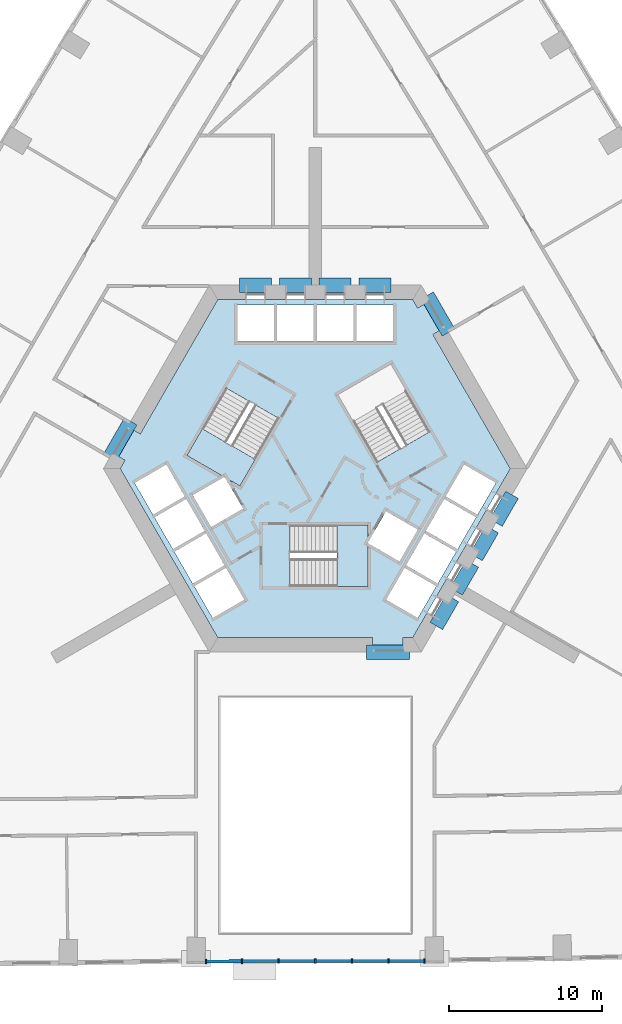
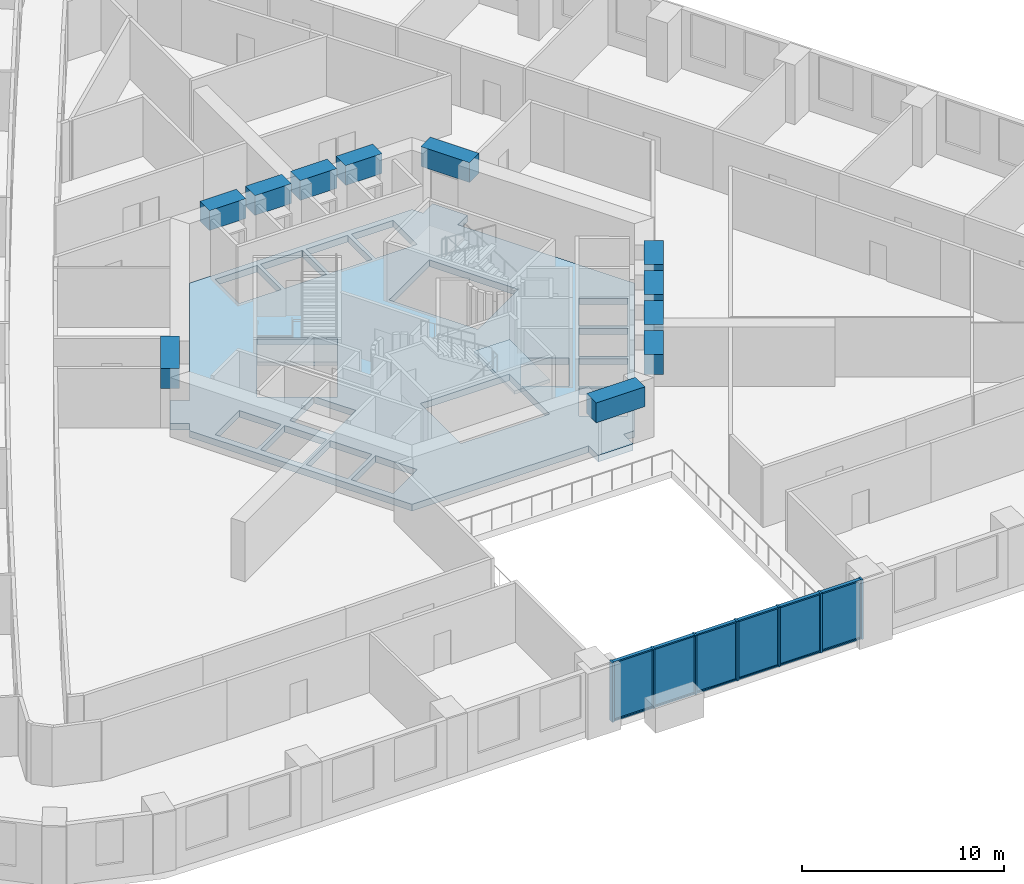
# One storey, part 2 of 15: 19 members, 11 beams, 6 plates, 3 slabs, 3 elements without a shape of their own.
"""IFC4 building model written with IfcOpenShell, lengths in metres."""

from ifc_helpers import new_model, si_unit, direction, frame, origin, origin_2d, place, context, subcontext, project, spatial, polyline, rectangle, outline, extrude, material, layer, layer_set, material_profile, profile_set, type_object, element, aggregate, save


model = new_model("IFC4")

# Units and contexts
model_context = context("Model", 3, precision=1e-05, world=origin(), true_north=direction((0.0, 1.0)))
body_context = subcontext(model_context, "Body", "Model", "MODEL_VIEW")
ifc_project = project(units=[si_unit("LENGTHUNIT", "METRE"), si_unit("AREAUNIT", "SQUARE_METRE"), si_unit("VOLUMEUNIT", "CUBIC_METRE"), si_unit("PLANEANGLEUNIT", "RADIAN"), si_unit("MASSUNIT", "GRAM", prefix="KILO")], contexts=[model_context])

# Site, building, storey
site_placement = place(None, origin())
site = spatial("IfcSite", under=ifc_project, at=site_placement, CompositionType="ELEMENT")
building_placement = place(site_placement, origin())
building = spatial("IfcBuilding", under=site, at=building_placement, Name="Entoto Arch Interchange Tower", CompositionType="ELEMENT")
storey_placement = place(building_placement, frame((0.0, 0.0, 77.0)))
storey = spatial("IfcBuildingStorey", under=building, at=storey_placement, Name="L16", CompositionType="ELEMENT", Elevation=77.0)

# Beams
ifc_material_1 = material(Name="Concrete C60/75", Category="concrete")
ifc_material_profile_1 = material_profile(ifc_material_1, rectangle(XDim=0.949951171875, YDim=1.199951171875, at=origin_2d()))
ifc_profile_set_1 = profile_set([ifc_material_profile_1], Name="Concrete C60/75")
beam_type = type_object("IfcBeamType", Name="Coupling beam RC 950x1200 C60/75", PredefinedType="BEAM", material=ifc_profile_set_1)
beam_1_placement = place(storey_placement, frame((8.717041015625, 11.402099609375, 3.0), z_axis=(-0.500200581029, 0.865909567298, 0.0), x_axis=(-0.865909567298, -0.500200581029, 0.0)))
element("IfcBeam", 1, at=beam_1_placement, inside=storey, type_object=beam_type, Name="Coupling beam NE L16", PredefinedType="BEAM", context=body_context, shape_type="SweptSolid", body=[
    extrude(rectangle(XDim=0.949951171875, YDim=1.199951171875, at=origin_2d()), origin(), (0.0, 0.0, 1.0), 2.799072265625),
])
beam_2_placement = place(storey_placement, frame((4.949951171875, 14.5, 3.0), z_axis=(-1.0, 0.0, 0.0), x_axis=(0.0, -1.0, 0.0)))
element("IfcBeam", 2, at=beam_2_placement, inside=storey, type_object=beam_type, Name="Coupling beam N L16", PredefinedType="BEAM", context=body_context, shape_type="SweptSolid", body=[
    extrude(rectangle(XDim=0.949951171875, YDim=1.199951171875, at=origin_2d()), origin(), (0.0, 0.0, 1.0), 2.099853515625),
])
for number, where, z_axis, x_axis, name in (
    (3, (2.35009765625, 14.5, 3.0), (-1.0, 0.0, 0.0), (0.0, -1.0, 0.0), "Coupling beam N L16"),
    (4, (-0.25, 14.5, 3.0), (-1.0, 0.0, 0.0), (0.0, -1.0, 0.0), "Coupling beam N L16"),
):
    element("IfcBeam", number, at=place(storey_placement, frame(where, z_axis=z_axis, x_axis=x_axis)), inside=storey, type_object=beam_type, Name=name, PredefinedType="BEAM", context=body_context, shape_type="SweptSolid", body=[
        extrude(rectangle(XDim=0.949951171875, YDim=1.199951171875, at=origin_2d()), origin(), (0.0, 0.0, 1.0), 2.10009765625),
    ])
beam_3_placement = place(storey_placement, frame((-2.85009765625, 14.5, 3.0), z_axis=(-1.0, 0.0, 0.0), x_axis=(0.0, -1.0, 0.0)))
element("IfcBeam", 5, at=beam_3_placement, inside=storey, type_object=beam_type, Name="Coupling beam N L16", PredefinedType="BEAM", context=body_context, shape_type="SweptSolid", body=[
    extrude(rectangle(XDim=0.949951171875, YDim=1.199951171875, at=origin_2d()), origin(), (0.0, 0.0, 1.0), 2.099853515625),
])
beam_4_placement = place(storey_placement, frame((-12.06689453125, 5.597900390625, 3.0), z_axis=(-0.500200581029, -0.865909567298, 0.0), x_axis=(0.865909567298, -0.500200581029, 0.0)))
element("IfcBeam", 6, at=beam_4_placement, inside=storey, type_object=beam_type, Name="Coupling beam NW L16", PredefinedType="BEAM", context=body_context, shape_type="SweptSolid", body=[
    extrude(rectangle(XDim=0.949951171875, YDim=1.199951171875, at=origin_2d()), origin(), (0.0, 0.0, 1.0), 2.799072265625),
])
beam_5_placement = place(storey_placement, frame((3.35009765625, -9.5, 3.0), z_axis=(1.0, 0.0, 0.0), x_axis=(0.0, 1.0, 0.0)))
element("IfcBeam", 7, at=beam_5_placement, inside=storey, type_object=beam_type, Name="Coupling beam S L16", PredefinedType="BEAM", context=body_context, shape_type="SweptSolid", body=[
    extrude(rectangle(XDim=0.949951171875, YDim=1.199951171875, at=origin_2d()), origin(), (0.0, 0.0, 1.0), 2.7998046875),
])
for number, where, z_axis, x_axis, name in (
    (8, (7.9169921875, -7.785888671875, 3.0), (0.500178781653, 0.865922159541, 0.0), (-0.865922159541, 0.500178781653, 0.0), "Coupling beam SE L16"),
    (9, (9.217041015625, -5.534912109375, 3.0), (0.500178781653, 0.865922159541, 0.0), (-0.865922159541, 0.500178781653, 0.0), "Coupling beam SE L16"),
):
    element("IfcBeam", number, at=place(storey_placement, frame(where, z_axis=z_axis, x_axis=x_axis)), inside=storey, type_object=beam_type, Name=name, PredefinedType="BEAM", context=body_context, shape_type="SweptSolid", body=[
        extrude(rectangle(XDim=0.949951171875, YDim=1.199951171875, at=origin_2d()), origin(), (0.0, 0.0, 1.0), 2.099365234375),
    ])
beam_6_placement = place(storey_placement, frame((10.51708984375, -3.282958984375, 3.0), z_axis=(0.500091574638, 0.865972526687, 0.0), x_axis=(-0.865972526687, 0.500091574638, 0.0)))
element("IfcBeam", 10, at=beam_6_placement, inside=storey, type_object=beam_type, Name="Coupling beam SE L16", PredefinedType="BEAM", context=body_context, shape_type="SweptSolid", body=[
    extrude(rectangle(XDim=0.949951171875, YDim=1.199951171875, at=origin_2d()), origin(), (0.0, 0.0, 1.0), 2.09912109375),
])
beam_7_placement = place(storey_placement, frame((11.81689453125, -1.031982421875, 3.0), z_axis=(0.500178781653, 0.865922159541, 0.0), x_axis=(-0.865922159541, 0.500178781653, 0.0)))
element("IfcBeam", 11, at=beam_7_placement, inside=storey, type_object=beam_type, Name="Coupling beam SE L16", PredefinedType="BEAM", context=body_context, shape_type="SweptSolid", body=[
    extrude(rectangle(XDim=0.949951171875, YDim=1.199951171875, at=origin_2d()), origin(), (0.0, 0.0, 1.0), 2.099365234375),
])

# Curtain wall, members
ifc_material_2 = material(Name="Aluminium, anodised", Category="aluminium")
curtain_wall_type = type_object("IfcCurtainWallType", Name="CURTAIN WALL ATRIUM", PredefinedType="NOTDEFINED", material=ifc_material_2)
curtain_wall_placement = place(storey_placement, origin())
curtain_wall = element("IfcCurtainWall", 12, at=curtain_wall_placement, inside=storey, type_object=curtain_wall_type, Name="Atrium glazing S-04 L16", PredefinedType="NOTDEFINED")
ifc_material_profile_2 = material_profile(ifc_material_2, rectangle(XDim=0.300048828125, YDim=0.10009765625, at=origin_2d()))
ifc_profile_set_2 = profile_set([ifc_material_profile_2], Name="Aluminium, anodised")
member_type_1 = type_object("IfcMemberType", Name="MULLION ATRIUM 100x300", PredefinedType="MULLION", material=ifc_profile_set_2)
member_1_placement = place(storey_placement, frame((-7.14794921875, -29.719970703125, 0.0), z_axis=(0.0, 0.0, 1.0), x_axis=(-0.002222834181, 0.999997529501, 0.0)))
member_1 = element("IfcMember", 13, at=member_1_placement, type_object=member_type_1, Name="CWA mullion 1", PredefinedType="MULLION", context=body_context, shape_type="SweptSolid", body=[
    extrude(rectangle(XDim=0.300048828125, YDim=0.10009765625, at=origin_2d()), origin(), (0.0, 0.0, 1.0), 3.60009765625),
])
member_2_placement = place(storey_placement, frame((-4.798583984375, -29.714599609375, 0.0), z_axis=(0.0, 0.0, 1.0), x_axis=(-0.002222834181, 0.999997529501, 0.0)))
member_2 = element("IfcMember", 14, at=member_2_placement, type_object=member_type_1, Name="CWA mullion 2", PredefinedType="MULLION", context=body_context, shape_type="SweptSolid", body=[
    extrude(rectangle(XDim=0.300048828125, YDim=0.10009765625, at=origin_2d()), origin(), (0.0, 0.0, 1.0), 3.60009765625),
])
member_3_placement = place(storey_placement, frame((-2.3994140625, -29.709228515625, 0.0), z_axis=(0.0, 0.0, 1.0), x_axis=(-0.002222834181, 0.999997529501, 0.0)))
member_3 = element("IfcMember", 15, at=member_3_placement, type_object=member_type_1, Name="CWA mullion 3", PredefinedType="MULLION", context=body_context, shape_type="SweptSolid", body=[
    extrude(rectangle(XDim=0.300048828125, YDim=0.10009765625, at=origin_2d()), origin(), (0.0, 0.0, 1.0), 3.60009765625),
])
member_4_placement = place(storey_placement, frame((0.0, -29.7041015625, 0.0), z_axis=(0.0, 0.0, 1.0), x_axis=(-0.002222834181, 0.999997529501, 0.0)))
member_4 = element("IfcMember", 16, at=member_4_placement, type_object=member_type_1, Name="CWA mullion 4", PredefinedType="MULLION", context=body_context, shape_type="SweptSolid", body=[
    extrude(rectangle(XDim=0.300048828125, YDim=0.10009765625, at=origin_2d()), origin(), (0.0, 0.0, 1.0), 3.60009765625),
])
member_5_placement = place(storey_placement, frame((2.3994140625, -29.69873046875, 0.0), z_axis=(0.0, 0.0, 1.0), x_axis=(-0.002222834181, 0.999997529501, 0.0)))
member_5 = element("IfcMember", 17, at=member_5_placement, type_object=member_type_1, Name="CWA mullion 5", PredefinedType="MULLION", context=body_context, shape_type="SweptSolid", body=[
    extrude(rectangle(XDim=0.300048828125, YDim=0.10009765625, at=origin_2d()), origin(), (0.0, 0.0, 1.0), 3.60009765625),
])
member_6_placement = place(storey_placement, frame((4.798583984375, -29.693359375, 0.0), z_axis=(0.0, 0.0, 1.0), x_axis=(-0.002222834181, 0.999997529501, 0.0)))
member_6 = element("IfcMember", 18, at=member_6_placement, type_object=member_type_1, Name="CWA mullion 6", PredefinedType="MULLION", context=body_context, shape_type="SweptSolid", body=[
    extrude(rectangle(XDim=0.300048828125, YDim=0.10009765625, at=origin_2d()), origin(), (0.0, 0.0, 1.0), 3.60009765625),
])
member_7_placement = place(storey_placement, frame((7.14794921875, -29.688232421875, 0.0), z_axis=(0.0, 0.0, 1.0), x_axis=(-0.002222834181, 0.999997529501, 0.0)))
member_7 = element("IfcMember", 19, at=member_7_placement, type_object=member_type_1, Name="CWA mullion 7", PredefinedType="MULLION", context=body_context, shape_type="SweptSolid", body=[
    extrude(rectangle(XDim=0.300048828125, YDim=0.10009765625, at=origin_2d()), origin(), (0.0, 0.0, 1.0), 3.60009765625),
])
ifc_material_profile_3 = material_profile(ifc_material_2, rectangle(XDim=0.199951171875, YDim=0.080078125, at=origin_2d()))
ifc_profile_set_3 = profile_set([ifc_material_profile_3], Name="Aluminium, anodised")
member_type_2 = type_object("IfcMemberType", Name="TRANSOM ATRIUM 80x200", PredefinedType="USERDEFINED", material=ifc_profile_set_3)
member_8_placement = place(storey_placement, frame((-7.097900390625, -29.7197265625, 0.0400390625), z_axis=(0.999997643723, 0.002170840429, 0.0), x_axis=(-0.002170840429, 0.999997643723, 0.0)))
member_8 = element("IfcMember", 20, at=member_8_placement, type_object=member_type_2, Name="CWA transom 1.1", ObjectType="TRANSOM", PredefinedType="USERDEFINED", context=body_context, shape_type="SweptSolid", body=[
    extrude(rectangle(XDim=0.199951171875, YDim=0.080078125, at=origin_2d()), origin(), (0.0, 0.0, 1.0), 2.249267578125),
])
member_9_placement = place(storey_placement, frame((-7.097900390625, -29.7197265625, 3.56005859375), z_axis=(0.999997643723, 0.002170840429, 0.0), x_axis=(-0.002170840429, 0.999997643723, 0.0)))
member_9 = element("IfcMember", 21, at=member_9_placement, type_object=member_type_2, Name="CWA transom 1.2", ObjectType="TRANSOM", PredefinedType="USERDEFINED", context=body_context, shape_type="SweptSolid", body=[
    extrude(rectangle(XDim=0.199951171875, YDim=0.080078125, at=origin_2d()), origin(), (0.0, 0.0, 1.0), 2.249267578125),
])
member_10_placement = place(storey_placement, frame((-4.748779296875, -29.714599609375, 0.0400390625), z_axis=(0.999997514594, 0.002229530503, 0.0), x_axis=(-0.002229530503, 0.999997514594, 0.0)))
member_10 = element("IfcMember", 22, at=member_10_placement, type_object=member_type_2, Name="CWA transom 2.1", ObjectType="TRANSOM", PredefinedType="USERDEFINED", context=body_context, shape_type="SweptSolid", body=[
    extrude(rectangle(XDim=0.199951171875, YDim=0.080078125, at=origin_2d()), origin(), (0.0, 0.0, 1.0), 2.299560546875),
])
member_11_placement = place(storey_placement, frame((-4.748779296875, -29.714599609375, 3.56005859375), z_axis=(0.999997514594, 0.002229530503, 0.0), x_axis=(-0.002229530503, 0.999997514594, 0.0)))
member_11 = element("IfcMember", 23, at=member_11_placement, type_object=member_type_2, Name="CWA transom 2.2", ObjectType="TRANSOM", PredefinedType="USERDEFINED", context=body_context, shape_type="SweptSolid", body=[
    extrude(rectangle(XDim=0.199951171875, YDim=0.080078125, at=origin_2d()), origin(), (0.0, 0.0, 1.0), 2.299560546875),
])
member_12_placement = place(storey_placement, frame((-2.349365234375, -29.709228515625, 0.0400390625), z_axis=(0.999997514066, 0.002229767232, 0.0), x_axis=(-0.002229767232, 0.999997514066, 0.0)))
member_12 = element("IfcMember", 24, at=member_12_placement, type_object=member_type_2, Name="CWA transom 3.1", ObjectType="TRANSOM", PredefinedType="USERDEFINED", context=body_context, shape_type="SweptSolid", body=[
    extrude(rectangle(XDim=0.199951171875, YDim=0.080078125, at=origin_2d()), origin(), (0.0, 0.0, 1.0), 2.29931640625),
])
member_13_placement = place(storey_placement, frame((-2.349365234375, -29.709228515625, 3.56005859375), z_axis=(0.999997514066, 0.002229767232, 0.0), x_axis=(-0.002229767232, 0.999997514066, 0.0)))
member_13 = element("IfcMember", 25, at=member_13_placement, type_object=member_type_2, Name="CWA transom 3.2", ObjectType="TRANSOM", PredefinedType="USERDEFINED", context=body_context, shape_type="SweptSolid", body=[
    extrude(rectangle(XDim=0.199951171875, YDim=0.080078125, at=origin_2d()), origin(), (0.0, 0.0, 1.0), 2.29931640625),
])
member_14_placement = place(storey_placement, frame((0.050048828125, -29.703857421875, 0.0400390625), z_axis=(0.999997514066, 0.002229767232, 0.0), x_axis=(-0.002229767232, 0.999997514066, 0.0)))
member_14 = element("IfcMember", 26, at=member_14_placement, type_object=member_type_2, Name="CWA transom 4.1", ObjectType="TRANSOM", PredefinedType="USERDEFINED", context=body_context, shape_type="SweptSolid", body=[
    extrude(rectangle(XDim=0.199951171875, YDim=0.080078125, at=origin_2d()), origin(), (0.0, 0.0, 1.0), 2.29931640625),
])
member_15_placement = place(storey_placement, frame((0.050048828125, -29.703857421875, 3.56005859375), z_axis=(0.999997514066, 0.002229767232, 0.0), x_axis=(-0.002229767232, 0.999997514066, 0.0)))
member_15 = element("IfcMember", 27, at=member_15_placement, type_object=member_type_2, Name="CWA transom 4.2", ObjectType="TRANSOM", PredefinedType="USERDEFINED", context=body_context, shape_type="SweptSolid", body=[
    extrude(rectangle(XDim=0.199951171875, YDim=0.080078125, at=origin_2d()), origin(), (0.0, 0.0, 1.0), 2.29931640625),
])
member_16_placement = place(storey_placement, frame((2.44921875, -29.698486328125, 0.0400390625), z_axis=(0.999997514594, 0.002229530503, 0.0), x_axis=(-0.002229530503, 0.999997514594, 0.0)))
member_16 = element("IfcMember", 28, at=member_16_placement, type_object=member_type_2, Name="CWA transom 5.1", ObjectType="TRANSOM", PredefinedType="USERDEFINED", context=body_context, shape_type="SweptSolid", body=[
    extrude(rectangle(XDim=0.199951171875, YDim=0.080078125, at=origin_2d()), origin(), (0.0, 0.0, 1.0), 2.299560546875),
])
member_17_placement = place(storey_placement, frame((2.44921875, -29.698486328125, 3.56005859375), z_axis=(0.999997514594, 0.002229530503, 0.0), x_axis=(-0.002229530503, 0.999997514594, 0.0)))
member_17 = element("IfcMember", 29, at=member_17_placement, type_object=member_type_2, Name="CWA transom 5.2", ObjectType="TRANSOM", PredefinedType="USERDEFINED", context=body_context, shape_type="SweptSolid", body=[
    extrude(rectangle(XDim=0.199951171875, YDim=0.080078125, at=origin_2d()), origin(), (0.0, 0.0, 1.0), 2.299560546875),
])
member_18_placement = place(storey_placement, frame((4.8486328125, -29.693115234375, 0.0400390625), z_axis=(0.999997643723, 0.002170840429, 0.0), x_axis=(-0.002170840429, 0.999997643723, 0.0)))
member_18 = element("IfcMember", 30, at=member_18_placement, type_object=member_type_2, Name="CWA transom 6.1", ObjectType="TRANSOM", PredefinedType="USERDEFINED", context=body_context, shape_type="SweptSolid", body=[
    extrude(rectangle(XDim=0.199951171875, YDim=0.080078125, at=origin_2d()), origin(), (0.0, 0.0, 1.0), 2.249267578125),
])
member_19_placement = place(storey_placement, frame((4.8486328125, -29.693115234375, 3.56005859375), z_axis=(0.999997643723, 0.002170840429, 0.0), x_axis=(-0.002170840429, 0.999997643723, 0.0)))
member_19 = element("IfcMember", 31, at=member_19_placement, type_object=member_type_2, Name="CWA transom 6.2", ObjectType="TRANSOM", PredefinedType="USERDEFINED", context=body_context, shape_type="SweptSolid", body=[
    extrude(rectangle(XDim=0.199951171875, YDim=0.080078125, at=origin_2d()), origin(), (0.0, 0.0, 1.0), 2.249267578125),
])

# Slab
ifc_material_3 = material(Name="Concrete C40/50", Category="concrete")
ifc_layer_1 = layer(ifc_material_3, 0.39990234375)
ifc_layer_set_1 = layer_set([ifc_layer_1], Name="Concrete C40/50")
slab_type_1 = type_object("IfcSlabType", Name="Core floor slab 400 C40/50", PredefinedType="FLOOR", material=ifc_layer_set_1)
slab_1_placement = place(storey_placement, frame((0.0, 0.0, -0.39990234375)))
element("IfcSlab", 32, at=slab_1_placement, inside=storey, type_object=slab_type_1, Name="Core floor slab L16", PredefinedType="FLOOR", context=body_context, shape_type="SweptSolid", body=[
    extrude(outline(polyline([(5.75, -9.5), (3.75, -9.5), (3.75, -8.550048828125), (-6.3798828125, -8.550048828125), (-12.759033203125, 2.5), (-12.444091796875, 3.044921875), (-13.26708984375, 3.52001953125), (-12.26708984375, 5.251953125), (-11.444091796875, 4.777099609375), (-6.3798828125, 13.550048828125), (6.3798828125, 13.550048828125), (6.695068359375, 13.0048828125), (7.51708984375, 13.47998046875), (8.51708984375, 11.748046875), (7.694091796875, 11.27294921875), (12.759033203125, 2.5), (6.3798828125, -8.550048828125), (5.75, -8.550048828125), (5.75, -9.5)]), holes=[polyline([(-4.637939453125, -6.06689453125), (-5.837890625, -3.988037109375), (-7.916015625, -5.18798828125), (-6.716064453125, -7.26708984375), (-4.637939453125, -6.06689453125)]), polyline([(-5.93798828125, -3.81494140625), (-7.137939453125, -1.737060546875), (-9.216064453125, -2.93701171875), (-8.01611328125, -5.014892578125), (-5.93798828125, -3.81494140625)]), polyline([(5.5048828125, -3.56494140625), (6.705078125, -1.487060546875), (4.626953125, -0.287109375), (3.449951171875, -2.324951171875), (3.449951171875, -1.199951171875), (-1.64990234375, -1.199951171875), (-1.64990234375, -5.199951171875), (3.449951171875, -5.199951171875), (3.449951171875, -2.3779296875), (5.5048828125, -3.56494140625)]), polyline([(-7.238037109375, -1.56298828125), (-8.43798828125, 0.514892578125), (-10.51611328125, -0.68505859375), (-9.31591796875, -2.762939453125), (-7.238037109375, -1.56298828125)]), polyline([(-4.72705078125, -0.113037109375), (-5.904052734375, 1.925048828125), (-4.928955078125, 1.362060546875), (-2.37890625, 5.779052734375), (-5.843017578125, 7.779052734375), (-8.39306640625, 3.362060546875), (-5.949951171875, 1.951904296875), (-8.0048828125, 0.764892578125), (-6.804931640625, -1.31298828125), (-4.72705078125, -0.113037109375)]), polyline([(-8.5380859375, 0.68798828125), (-9.738037109375, 2.76708984375), (-11.81591796875, 1.56689453125), (-10.615966796875, -0.511962890625), (-8.5380859375, 0.68798828125)]), polyline([(-5.10009765625, 10.800048828125), (-2.699951171875, 10.800048828125), (-2.699951171875, 13.199951171875), (-5.10009765625, 13.199951171875), (-5.10009765625, 10.800048828125)]), polyline([(-2.5, 10.800048828125), (-0.10009765625, 10.800048828125), (-0.10009765625, 13.199951171875), (-2.5, 13.199951171875), (-2.5, 10.800048828125)]), polyline([(5.837890625, -3.988037109375), (4.637939453125, -6.06689453125), (6.716064453125, -7.26708984375), (7.916015625, -5.18798828125), (5.837890625, -3.988037109375)]), polyline([(7.137939453125, -1.737060546875), (5.93798828125, -3.81494140625), (8.01611328125, -5.014892578125), (9.216064453125, -2.93701171875), (7.137939453125, -1.737060546875)]), polyline([(8.43798828125, 0.514892578125), (7.238037109375, -1.56298828125), (9.31591796875, -2.762939453125), (10.51611328125, -0.68505859375), (8.43798828125, 0.514892578125)]), polyline([(9.738037109375, 2.76708984375), (8.5380859375, 0.68798828125), (10.615966796875, -0.511962890625), (11.81591796875, 1.56689453125), (9.738037109375, 2.76708984375)]), polyline([(4.029052734375, 2.9208984375), (7.492919921875, 4.9208984375), (4.943115234375, 9.337890625), (1.47900390625, 7.337890625), (4.029052734375, 2.9208984375)]), polyline([(0.10009765625, 13.199951171875), (0.10009765625, 10.800048828125), (2.5, 10.800048828125), (2.5, 13.199951171875), (0.10009765625, 13.199951171875)]), polyline([(2.699951171875, 13.199951171875), (2.699951171875, 10.800048828125), (5.10009765625, 10.800048828125), (5.10009765625, 13.199951171875), (2.699951171875, 13.199951171875)])]), origin(), (0.0, 0.0, 1.0), 0.39990234375),
])

# Stair, slab
stair_type = type_object("IfcStairType", Name="EXIT STAIR RC 1800", PredefinedType="HALF_TURN_STAIR", material=ifc_material_3)
stair_1_placement = place(storey_placement, origin())
stair_1 = element("IfcStair", 33, at=stair_1_placement, inside=storey, type_object=stair_type, Name="L16 Exit stair S", PredefinedType="HALF_TURN_STAIR")
ifc_layer_2 = layer(ifc_material_3, 0.199951171875)
ifc_layer_set_2 = layer_set([ifc_layer_2], Name="Concrete C40/50")
slab_type_2 = type_object("IfcSlabType", Name="EXIT STAIR LANDING RC 200", PredefinedType="LANDING", material=ifc_layer_set_2)
slab_2_placement = place(storey_placement, frame((0.0, 0.0, 1.89990234375)))
slab_2 = element("IfcSlab", 34, at=slab_2_placement, type_object=slab_type_2, Name="ST-S landing 1", PredefinedType="LANDING", context=body_context, shape_type="SweptSolid", body=[
    extrude(outline(polyline([(1.429931640625, -5.199951171875), (3.449951171875, -5.199951171875), (3.449951171875, -1.199951171875), (1.429931640625, -1.199951171875), (1.429931640625, -5.199951171875)])), origin(), (0.0, 0.0, 1.0), 0.2001953125),
])
aggregate(stair_1, [slab_2])

stair_2_placement = place(storey_placement, origin())
stair_2 = element("IfcStair", 35, at=stair_2_placement, inside=storey, type_object=stair_type, Name="L16 Exit stair NW", PredefinedType="HALF_TURN_STAIR")
slab_3_placement = place(storey_placement, frame((0.0, 0.0, 1.89990234375)))
slab_3 = element("IfcSlab", 36, at=slab_3_placement, type_object=slab_type_2, Name="ST-NW landing 1", PredefinedType="LANDING", context=body_context, shape_type="SweptSolid", body=[
    extrude(outline(polyline([(-7.38330078125, 5.111572265625), (-8.393310546875, 3.3623046875), (-4.92919921875, 1.3623046875), (-3.919189453125, 3.111572265625), (-7.38330078125, 5.111572265625)])), origin(), (0.0, 0.0, 1.0), 0.2001953125),
])
aggregate(stair_2, [slab_3])

# Plate
ifc_material_4 = material(Name="Clear glass, low-e double glazed", Category="glass")
ifc_layer_3 = layer(ifc_material_4, 0.031982421875)
ifc_layer_set_3 = layer_set([ifc_layer_3], Name="Clear glass, low-e double glazed")
plate_type = type_object("IfcPlateType", Name="GLAZING PANEL ATRIUM 32", PredefinedType="CURTAIN_PANEL", material=ifc_layer_set_3)
plate_1_placement = place(storey_placement, frame((-5.973388671875, -29.71728515625, 0.080078125), z_axis=(0.0, 0.0, 1.0), x_axis=(0.999997529501, 0.002222834181, 0.0)))
plate_1 = element("IfcPlate", 37, at=plate_1_placement, type_object=plate_type, Name="CWA panel 1.1", PredefinedType="CURTAIN_PANEL", context=body_context, shape_type="SweptSolid", body=[
    extrude(rectangle(XDim=2.249267578125, YDim=0.031982421875, at=origin_2d()), origin(), (0.0, 0.0, 1.0), 3.43994140625),
])

plate_2_placement = place(storey_placement, frame((-3.59912109375, -29.7119140625, 0.080078125), z_axis=(0.0, 0.0, 1.0), x_axis=(0.999997529501, 0.002222834181, 0.0)))
plate_2 = element("IfcPlate", 38, at=plate_2_placement, type_object=plate_type, Name="CWA panel 2.1", PredefinedType="CURTAIN_PANEL", context=body_context, shape_type="SweptSolid", body=[
    extrude(rectangle(XDim=2.29931640625, YDim=0.031982421875, at=origin_2d()), origin(), (0.0, 0.0, 1.0), 3.43994140625),
])

plate_3_placement = place(storey_placement, frame((-1.19970703125, -29.706787109375, 0.080078125), z_axis=(0.0, 0.0, 1.0), x_axis=(0.999997529501, 0.002222834181, 0.0)))
plate_3 = element("IfcPlate", 39, at=plate_3_placement, type_object=plate_type, Name="CWA panel 3.1", PredefinedType="CURTAIN_PANEL", context=body_context, shape_type="SweptSolid", body=[
    extrude(rectangle(XDim=2.29931640625, YDim=0.031982421875, at=origin_2d()), origin(), (0.0, 0.0, 1.0), 3.43994140625),
])

plate_4_placement = place(storey_placement, frame((1.19970703125, -29.701416015625, 0.080078125), z_axis=(0.0, 0.0, 1.0), x_axis=(0.999997529501, 0.002222834181, 0.0)))
plate_4 = element("IfcPlate", 40, at=plate_4_placement, type_object=plate_type, Name="CWA panel 4.1", PredefinedType="CURTAIN_PANEL", context=body_context, shape_type="SweptSolid", body=[
    extrude(rectangle(XDim=2.29931640625, YDim=0.031982421875, at=origin_2d()), origin(), (0.0, 0.0, 1.0), 3.43994140625),
])

plate_5_placement = place(storey_placement, frame((3.59912109375, -29.696044921875, 0.080078125), z_axis=(0.0, 0.0, 1.0), x_axis=(0.999997529501, 0.002222834181, 0.0)))
plate_5 = element("IfcPlate", 41, at=plate_5_placement, type_object=plate_type, Name="CWA panel 5.1", PredefinedType="CURTAIN_PANEL", context=body_context, shape_type="SweptSolid", body=[
    extrude(rectangle(XDim=2.29931640625, YDim=0.031982421875, at=origin_2d()), origin(), (0.0, 0.0, 1.0), 3.43994140625),
])

plate_6_placement = place(storey_placement, frame((5.973388671875, -29.690673828125, 0.080078125), z_axis=(0.0, 0.0, 1.0), x_axis=(0.999997529501, 0.002222834181, 0.0)))
plate_6 = element("IfcPlate", 42, at=plate_6_placement, type_object=plate_type, Name="CWA panel 6.1", PredefinedType="CURTAIN_PANEL", context=body_context, shape_type="SweptSolid", body=[
    extrude(rectangle(XDim=2.249267578125, YDim=0.031982421875, at=origin_2d()), origin(), (0.0, 0.0, 1.0), 3.43994140625),
])

aggregate(curtain_wall, [member_1, member_2, member_3, member_4, member_5, member_6, member_7, member_8, member_9, plate_1, member_10, member_11, plate_2, member_12, member_13, plate_3, member_14, member_15, plate_4, member_16, member_17, plate_5, member_18, member_19, plate_6])

save(model, "model.ifc")
